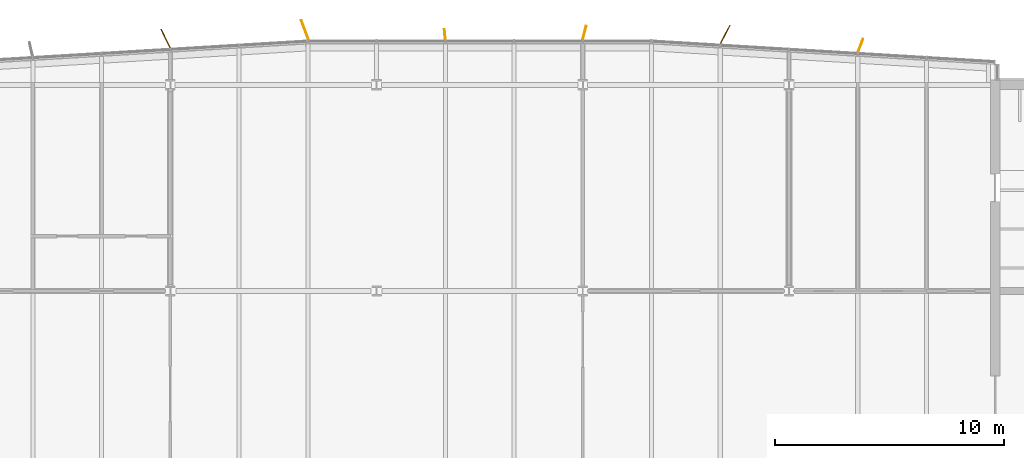
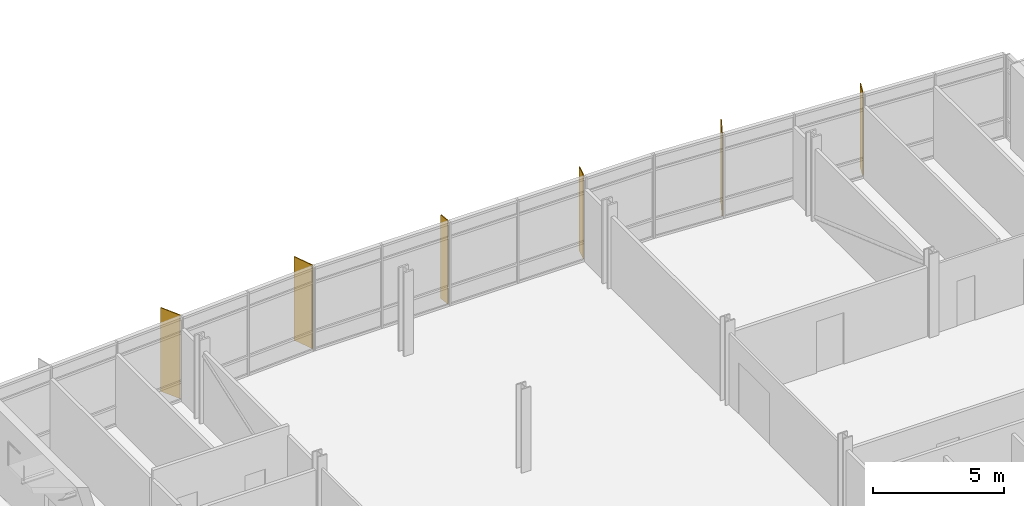
# One storey, part 21 of 21: 6 shading devices.
"""IFC4 building model written with IfcOpenShell, lengths in metres."""

from ifc_helpers import new_model, si_unit, direction, frame, origin, origin_2d, place, context, subcontext, project, spatial, rectangle, extrude, material, layer, layer_set, type_object, element, save


model = new_model("IFC4")

# Units and contexts
model_context = context("Model", 3, precision=1e-05, world=origin(), true_north=direction((0.0, 1.0)))
body_context = subcontext(model_context, "Body", "Model", "MODEL_VIEW")
ifc_project = project(units=[si_unit("LENGTHUNIT", "METRE"), si_unit("AREAUNIT", "SQUARE_METRE"), si_unit("VOLUMEUNIT", "CUBIC_METRE"), si_unit("PLANEANGLEUNIT", "RADIAN"), si_unit("MASSUNIT", "GRAM", prefix="KILO")], contexts=[model_context])

# Site, building, storey
site_placement = place(None, origin())
site = spatial("IfcSite", under=ifc_project, at=site_placement, CompositionType="ELEMENT")
building_placement = place(site_placement, origin())
building = spatial("IfcBuilding", under=site, at=building_placement, Name="Azimuth Sports and Learning Centre", CompositionType="ELEMENT")
storey_placement = place(building_placement, frame((0.0, 0.0, 32.39990234375)))
storey = spatial("IfcBuildingStorey", under=building, at=storey_placement, Name="L06", CompositionType="ELEMENT", Elevation=32.39990234375)

# Shading devices
ifc_material_1 = material(Name="Aluminium", Category="aluminium")
ifc_layer_1 = layer(ifc_material_1, 0.0400390625)
ifc_layer_set_1 = layer_set([ifc_layer_1], Name="Aluminium")
shading_device_type_1 = type_object("IfcShadingDeviceType", Name="Shading fin 450", PredefinedType="JALOUSIE", material=ifc_layer_set_1)
shading_device_placement = place(storey_placement, frame((83.98046875, 119.2041015625, 0.000244140625), z_axis=(0.0, 0.0, 1.0), x_axis=(-0.086979796274, 0.996210075757, 0.0)))
element("IfcShadingDevice", 1, at=shading_device_placement, inside=storey, type_object=shading_device_type_1, Name="Shading fin F06-011", PredefinedType="JALOUSIE", context=body_context, shape_type="SweptSolid", body=[
    extrude(rectangle(XDim=0.449951171875, YDim=0.0400390625, at=origin_2d()), origin(), (0.0, 0.0, 1.0), 3.89990234375),
])
ifc_material_2 = material(Name="Aluminium", Category="aluminium")
ifc_layer_2 = layer(ifc_material_2, 0.0400390625)
ifc_layer_set_2 = layer_set([ifc_layer_2], Name="Aluminium")
shading_device_type_2 = type_object("IfcShadingDeviceType", Name="Shading fin 600", PredefinedType="JALOUSIE", material=ifc_layer_set_2)
for number, where, z_axis, x_axis, name in (
    (2, (102.11962890625, 118.71923828125, 0.000244140625), (0.0, 0.0, 1.0), (0.362748531664, 0.931887065462, 0.0), "Shading fin F06-008"),
    (3, (90.072998046875, 119.27099609375, 0.000244140625), (0.0, 0.0, 1.0), (0.243730896369, 0.969842899729, 0.0), "Shading fin F06-010"),
):
    element("IfcShadingDevice", number, at=place(storey_placement, frame(where, z_axis=z_axis, x_axis=x_axis)), inside=storey, type_object=shading_device_type_2, Name=name, PredefinedType="JALOUSIE", context=body_context, shape_type="SweptSolid", body=[
        extrude(rectangle(XDim=0.60009765625, YDim=0.0400390625, at=origin_2d()), origin(), (0.0, 0.0, 1.0), 3.89990234375),
    ])
ifc_material_3 = material(Name="Aluminium", Category="aluminium")
ifc_layer_3 = layer(ifc_material_3, 0.0400390625)
ifc_layer_set_3 = layer_set([ifc_layer_3], Name="Aluminium")
shading_device_type_3 = type_object("IfcShadingDeviceType", Name="Shading fin 900", PredefinedType="JALOUSIE", material=ifc_layer_set_3)
for number, where, z_axis, x_axis, name in (
    (4, (96.21728515625, 119.199462890625, 0.000244140625), (0.0, 0.0, 1.0), (0.458682723789, 0.888600111916, 0.0), "Shading fin F06-009"),
    (5, (77.870361328125, 119.400634765625, 0.000244140625), (0.0, 0.0, 1.0), (-0.354855844612, 0.934921028507, 0.0), "Shading fin F06-012"),
    (6, (71.7900390625, 119.023193359375, 0.000244140625), (0.0, 0.0, 1.0), (-0.442429089314, 0.896803490698, 0.0), "Shading fin F06-013"),
):
    element("IfcShadingDevice", number, at=place(storey_placement, frame(where, z_axis=z_axis, x_axis=x_axis)), inside=storey, type_object=shading_device_type_3, Name=name, PredefinedType="JALOUSIE", context=body_context, shape_type="SweptSolid", body=[
        extrude(rectangle(XDim=0.89990234375, YDim=0.0400390625, at=origin_2d()), origin(), (0.0, 0.0, 1.0), 3.89990234375),
    ])

save(model, "model.ifc")
